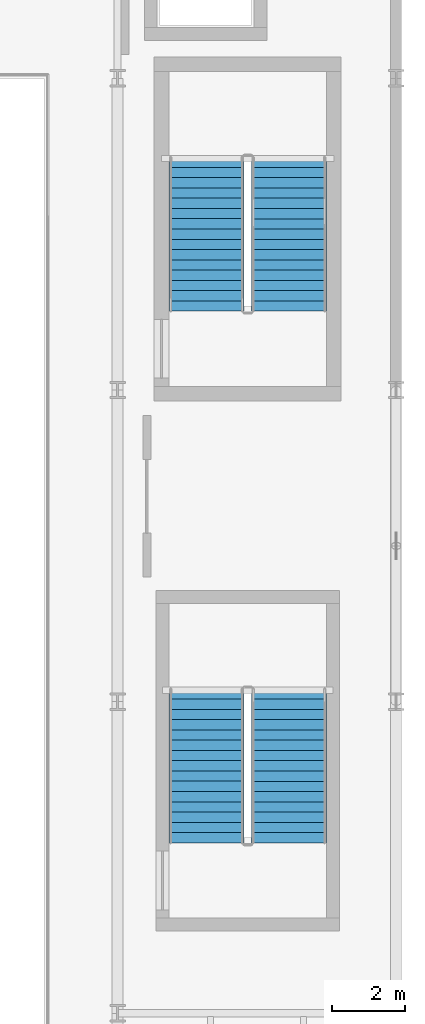
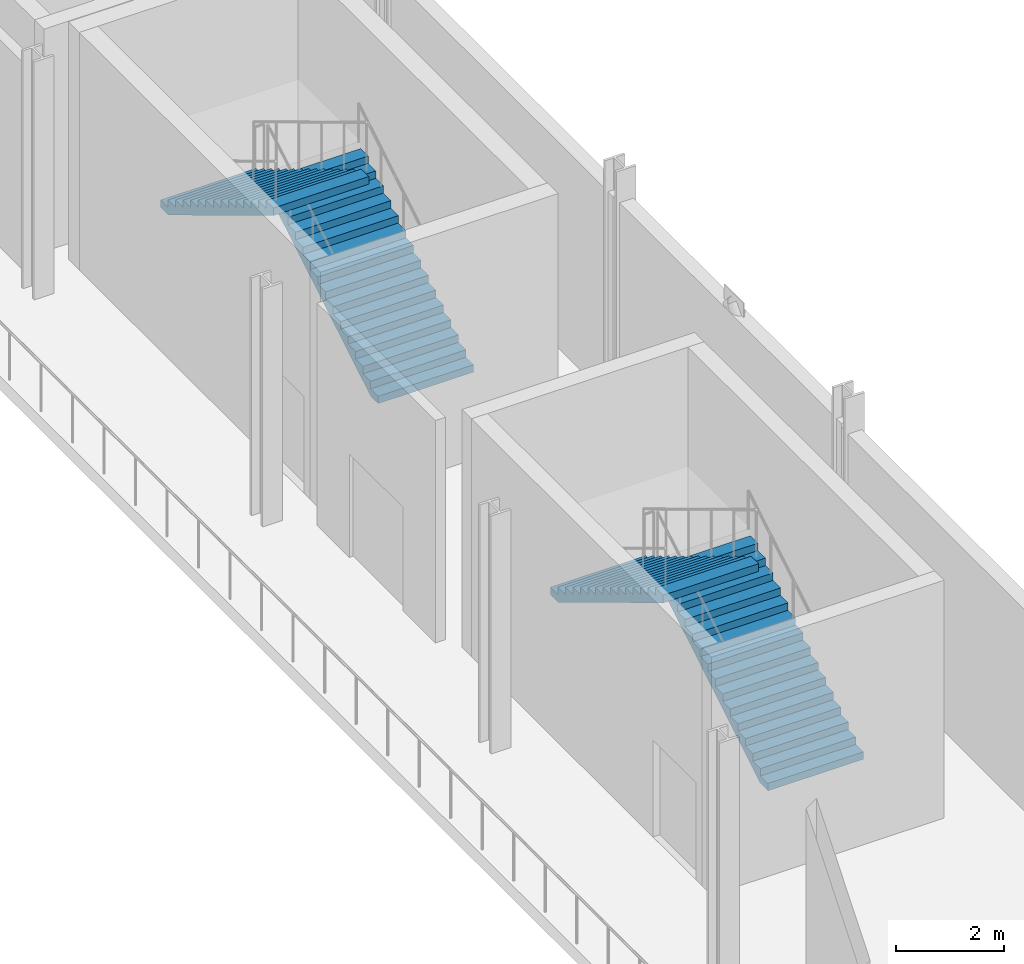
# One storey, part 61 of 78: 4 stair flights, 2 elements without a shape of their own.
"""IFC4 building model written with IfcOpenShell, lengths in metres."""

from ifc_helpers import new_model, si_unit, direction, frame, origin, place, context, subcontext, project, spatial, polyline, outline, extrude, material, type_object, element, aggregate, save


model = new_model("IFC4")

# Units and contexts
model_context = context("Model", 3, precision=1e-05, world=origin(), true_north=direction((0.0, 1.0)))
body_context = subcontext(model_context, "Body", "Model", "MODEL_VIEW")
ifc_project = project(units=[si_unit("LENGTHUNIT", "METRE"), si_unit("AREAUNIT", "SQUARE_METRE"), si_unit("VOLUMEUNIT", "CUBIC_METRE"), si_unit("PLANEANGLEUNIT", "RADIAN"), si_unit("MASSUNIT", "GRAM", prefix="KILO")], contexts=[model_context])

# Site, building, storey
site_placement = place(None, origin())
site = spatial("IfcSite", under=ifc_project, at=site_placement, CompositionType="ELEMENT")
building_placement = place(site_placement, origin())
building = spatial("IfcBuilding", under=site, at=building_placement, Name="Sefraquen Railside Congress Hotel", CompositionType="ELEMENT")
storey_placement = place(building_placement, frame((0.0, 0.0, 6.0)))
storey = spatial("IfcBuildingStorey", under=building, at=storey_placement, Name="L01", CompositionType="ELEMENT", Elevation=6.0)

# Stair, stair flights
ifc_material = material(Name="Concrete C40/50", Category="concrete")
stair_type_1 = type_object("IfcStairType", Name="TST-DOG-205-540", PredefinedType="HALF_TURN_STAIR", material=ifc_material)
stair_1_placement = place(storey_placement, origin())
stair_1 = element("IfcStair", 1, at=stair_1_placement, inside=storey, type_object=stair_type_1, Name="L01 Pressurized escape stair ST-B02", PredefinedType="HALF_TURN_STAIR")
stair_flight_type_1 = type_object("IfcStairFlightType", Name="TSF-FLT-205-540", PredefinedType="STRAIGHT", material=ifc_material)
stair_flight_1_placement = place(storey_placement, frame((169.074951171875, 67.14990234375, 0.0), z_axis=(0.0, 0.0, 1.0), x_axis=(0.0, 1.0, 0.0)))
stair_flight_1 = element("IfcStairFlight", 2, at=stair_flight_1_placement, type_object=stair_flight_type_1, Name="ST-B02 flight 1", NumberOfRisers=16, NumberOfTreads=15, PredefinedType="STRAIGHT", RiserHeight=0.16875, TreadLength=0.28, context=body_context, shape_type="SweptSolid", body=[
    extrude(outline(polyline([(0.0, 0.0), (0.0, 0.168701171875), (0.280029296875, 0.168701171875), (0.280029296875, 0.33740234375), (0.56005859375, 0.33740234375), (0.56005859375, 0.50634765625), (0.840087890625, 0.50634765625), (0.840087890625, 0.675048828125), (1.1201171875, 0.675048828125), (1.1201171875, 0.84375), (1.39990234375, 0.84375), (1.39990234375, 1.012451171875), (1.679931640625, 1.012451171875), (1.679931640625, 1.18115234375), (1.9599609375, 1.18115234375), (1.9599609375, 1.35009765625), (2.239990234375, 1.35009765625), (2.239990234375, 1.518798828125), (2.52001953125, 1.518798828125), (2.52001953125, 1.6875), (2.800048828125, 1.6875), (2.800048828125, 1.856201171875), (3.080078125, 1.856201171875), (3.080078125, 2.02490234375), (3.360107421875, 2.02490234375), (3.360107421875, 2.19384765625), (3.639892578125, 2.19384765625), (3.639892578125, 2.362548828125), (3.919921875, 2.362548828125), (3.919921875, 2.53125), (4.199951171875, 2.53125), (4.199951171875, 2.699951171875), (4.199951171875, 2.356201171875), (0.29052734375, 0.0), (0.0, 0.0)])), frame((0.0, 1.02490234375, 0.0), z_axis=(0.0, -1.0, 0.0), x_axis=(1.0, 0.0, 0.0)), (0.0, 0.0, 1.0), 2.050048828125),
])
stair_flight_2_placement = place(storey_placement, frame((166.824951171875, 71.35009765625, 2.699951171875), z_axis=(0.0, 0.0, 1.0), x_axis=(0.0, -1.0, 0.0)))
stair_flight_2 = element("IfcStairFlight", 3, at=stair_flight_2_placement, type_object=stair_flight_type_1, Name="ST-B02 flight 2", NumberOfRisers=16, NumberOfTreads=15, PredefinedType="STRAIGHT", RiserHeight=0.16875, TreadLength=0.28, context=body_context, shape_type="SweptSolid", body=[
    extrude(outline(polyline([(0.0, 0.0), (0.0, 0.168701171875), (0.280029296875, 0.168701171875), (0.280029296875, 0.33740234375), (0.56005859375, 0.33740234375), (0.56005859375, 0.50634765625), (0.840087890625, 0.50634765625), (0.840087890625, 0.675048828125), (1.1201171875, 0.675048828125), (1.1201171875, 0.84375), (1.39990234375, 0.84375), (1.39990234375, 1.012451171875), (1.679931640625, 1.012451171875), (1.679931640625, 1.18115234375), (1.9599609375, 1.18115234375), (1.9599609375, 1.35009765625), (2.239990234375, 1.35009765625), (2.239990234375, 1.518798828125), (2.52001953125, 1.518798828125), (2.52001953125, 1.6875), (2.800048828125, 1.6875), (2.800048828125, 1.856201171875), (3.080078125, 1.856201171875), (3.080078125, 2.02490234375), (3.360107421875, 2.02490234375), (3.360107421875, 2.19384765625), (3.639892578125, 2.19384765625), (3.639892578125, 2.362548828125), (3.919921875, 2.362548828125), (3.919921875, 2.53125), (4.199951171875, 2.53125), (4.199951171875, 2.699951171875), (4.199951171875, 2.356201171875), (0.29052734375, 0.0), (0.0, 0.0)])), frame((0.0, 1.02490234375, 0.0), z_axis=(0.0, -1.0, 0.0), x_axis=(1.0, 0.0, 0.0)), (0.0, 0.0, 1.0), 2.050048828125),
])
aggregate(stair_1, [stair_flight_1, stair_flight_2])

stair_type_2 = type_object("IfcStairType", Name="TST-DOG-205-600", PredefinedType="HALF_TURN_STAIR", material=ifc_material)
stair_2_placement = place(storey_placement, origin())
stair_2 = element("IfcStair", 4, at=stair_2_placement, inside=storey, type_object=stair_type_2, Name="L01 Pressurized escape stair ST-B01", PredefinedType="HALF_TURN_STAIR")
stair_flight_type_2 = type_object("IfcStairFlightType", Name="TSF-FLT-205-600", PredefinedType="STRAIGHT", material=ifc_material)
stair_flight_3_placement = place(storey_placement, frame((169.074951171875, 81.64990234375, 0.0), z_axis=(0.0, 0.0, 1.0), x_axis=(0.0, 1.0, 0.0)))
stair_flight_3 = element("IfcStairFlight", 5, at=stair_flight_3_placement, type_object=stair_flight_type_2, Name="ST-B01 flight 1", NumberOfRisers=16, NumberOfTreads=15, PredefinedType="STRAIGHT", RiserHeight=0.16875, TreadLength=0.28, context=body_context, shape_type="SweptSolid", body=[
    extrude(outline(polyline([(0.0, 0.0), (0.0, 0.168701171875), (0.280029296875, 0.168701171875), (0.280029296875, 0.33740234375), (0.56005859375, 0.33740234375), (0.56005859375, 0.50634765625), (0.840087890625, 0.50634765625), (0.840087890625, 0.675048828125), (1.1201171875, 0.675048828125), (1.1201171875, 0.84375), (1.39990234375, 0.84375), (1.39990234375, 1.012451171875), (1.679931640625, 1.012451171875), (1.679931640625, 1.18115234375), (1.9599609375, 1.18115234375), (1.9599609375, 1.35009765625), (2.239990234375, 1.35009765625), (2.239990234375, 1.518798828125), (2.52001953125, 1.518798828125), (2.52001953125, 1.6875), (2.800048828125, 1.6875), (2.800048828125, 1.856201171875), (3.080078125, 1.856201171875), (3.080078125, 2.02490234375), (3.360107421875, 2.02490234375), (3.360107421875, 2.19384765625), (3.639892578125, 2.19384765625), (3.639892578125, 2.362548828125), (3.919921875, 2.362548828125), (3.919921875, 2.53125), (4.199951171875, 2.53125), (4.199951171875, 2.699951171875), (4.199951171875, 2.356201171875), (0.29052734375, 0.0), (0.0, 0.0)])), frame((0.0, 1.02490234375, 0.0), z_axis=(0.0, -1.0, 0.0), x_axis=(1.0, 0.0, 0.0)), (0.0, 0.0, 1.0), 2.050048828125),
])
stair_flight_4_placement = place(storey_placement, frame((166.824951171875, 85.85009765625, 2.699951171875), z_axis=(0.0, 0.0, 1.0), x_axis=(0.0, -1.0, 0.0)))
stair_flight_4 = element("IfcStairFlight", 6, at=stair_flight_4_placement, type_object=stair_flight_type_2, Name="ST-B01 flight 2", NumberOfRisers=16, NumberOfTreads=15, PredefinedType="STRAIGHT", RiserHeight=0.16875, TreadLength=0.28, context=body_context, shape_type="SweptSolid", body=[
    extrude(outline(polyline([(0.0, 0.0), (0.0, 0.168701171875), (0.280029296875, 0.168701171875), (0.280029296875, 0.33740234375), (0.56005859375, 0.33740234375), (0.56005859375, 0.50634765625), (0.840087890625, 0.50634765625), (0.840087890625, 0.675048828125), (1.1201171875, 0.675048828125), (1.1201171875, 0.84375), (1.39990234375, 0.84375), (1.39990234375, 1.012451171875), (1.679931640625, 1.012451171875), (1.679931640625, 1.18115234375), (1.9599609375, 1.18115234375), (1.9599609375, 1.35009765625), (2.239990234375, 1.35009765625), (2.239990234375, 1.518798828125), (2.52001953125, 1.518798828125), (2.52001953125, 1.6875), (2.800048828125, 1.6875), (2.800048828125, 1.856201171875), (3.080078125, 1.856201171875), (3.080078125, 2.02490234375), (3.360107421875, 2.02490234375), (3.360107421875, 2.19384765625), (3.639892578125, 2.19384765625), (3.639892578125, 2.362548828125), (3.919921875, 2.362548828125), (3.919921875, 2.53125), (4.199951171875, 2.53125), (4.199951171875, 2.699951171875), (4.199951171875, 2.356201171875), (0.29052734375, 0.0), (0.0, 0.0)])), frame((0.0, 1.02490234375, 0.0), z_axis=(0.0, -1.0, 0.0), x_axis=(1.0, 0.0, 0.0)), (0.0, 0.0, 1.0), 2.050048828125),
])
aggregate(stair_2, [stair_flight_3, stair_flight_4])

save(model, "model.ifc")
